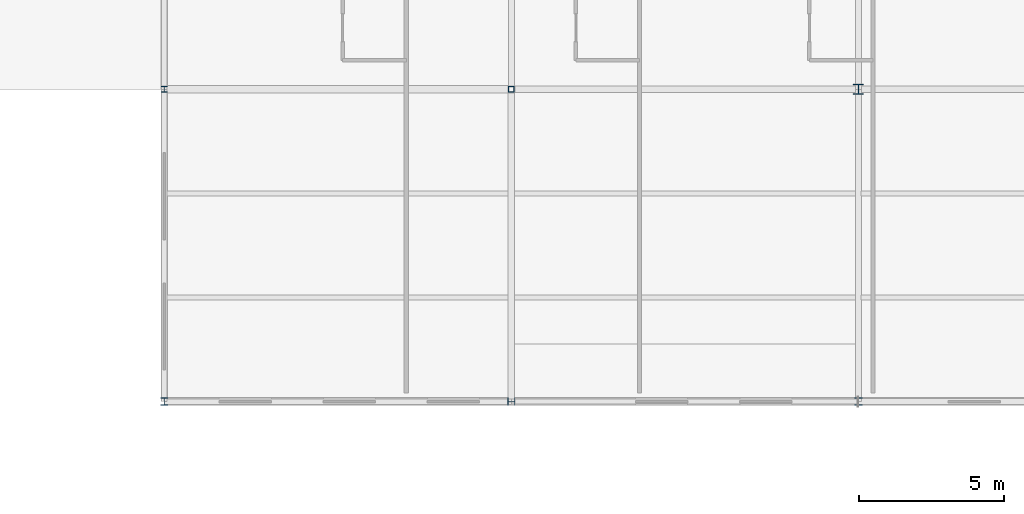
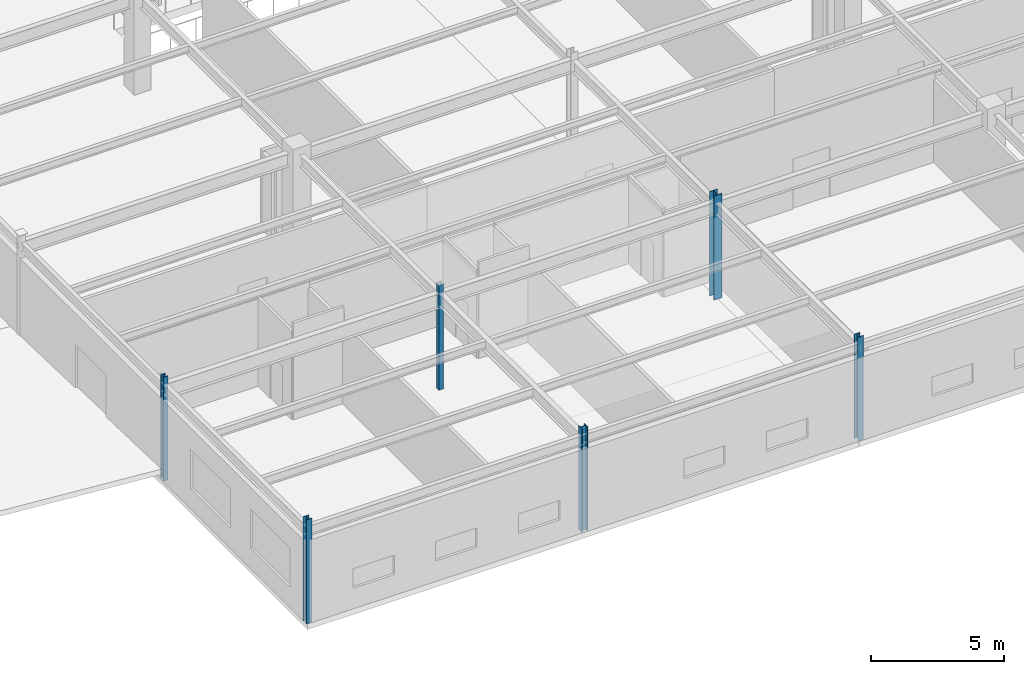
# One storey, part 2 of 199: 6 columns.
"""IFC4 building model written with IfcOpenShell, lengths in metres."""

import ifcopenshell
import ifcopenshell.guid

model = None  # the IFC model being written
_history = None  # IfcOwnerHistory: only IFC2X3 demands one
_inside = {}  # id of a spatial element -> (the spatial element, [elements in it])
_under = {}  # id of a project, library or spatial element -> (it, [spatial elements below it])
_declared = {}  # id of a project -> (the project, [libraries it declares])
_typed = {}  # id of a type object -> (the type object, [elements of that type])
_made_of = {}  # id of a material, layer set ... -> (it, [elements and type objects made of it])


def new_model(schema):
    """Start an empty IFC model of exactly this schema.

    Asked for "IFC4X3", IfcOpenShell would pick the latest addendum, in which some entities
    have other attributes; the version numbers below select the first issue.
    IFC2X3 requires an IfcOwnerHistory on every rooted entity: one is made here for all.
    """
    global model, _history
    if schema == "IFC4X3":
        model = ifcopenshell.file(schema_version=(4, 3, 0, 0))
    else:
        model = ifcopenshell.file(schema=schema)
    _inside.clear()
    _under.clear()
    _declared.clear()
    _typed.clear()
    _made_of.clear()
    _history = None
    if model.schema == "IFC2X3":
        org = make("IfcOrganization", Name="unknown")
        user = make(
            "IfcPersonAndOrganization",
            ThePerson=make("IfcPerson", FamilyName="unknown"),
            TheOrganization=org,
        )
        app = make(
            "IfcApplication",
            ApplicationDeveloper=org,
            Version="unknown",
            ApplicationFullName="unknown",
            ApplicationIdentifier="unknown",
        )
        _history = make(
            "IfcOwnerHistory",
            OwningUser=user,
            OwningApplication=app,
            ChangeAction="ADDED",
            CreationDate=0,
        )
    return model


def make(cls, **values):
    """One entity of the class cls with the attributes given. An attribute that is None is left unset."""
    return model.create_entity(
        cls, **{name: value for name, value in values.items() if value is not None}
    )


def rooted(cls, **values):
    """An entity with a GlobalId (a new one), such as an element, a storey or a relation."""
    return make(cls, GlobalId=ifcopenshell.guid.new(), OwnerHistory=_history, **values)


def si_unit(unit_type, name, prefix=None):
    """IfcSIUnit, for example si_unit("LENGTHUNIT", "METRE", prefix="MILLI")."""
    return make("IfcSIUnit", UnitType=unit_type, Prefix=prefix, Name=name)


def assignment(units):
    """IfcUnitAssignment: the units of a project."""
    return None if units is None else make("IfcUnitAssignment", Units=units)


def point(xyz):
    """IfcCartesianPoint."""
    return None if xyz is None else make("IfcCartesianPoint", Coordinates=xyz)


def direction(xyz):
    """IfcDirection."""
    return None if xyz is None else make("IfcDirection", DirectionRatios=xyz)


def frame(location, z_axis=None, x_axis=None):
    """IfcAxis2Placement3D, a coordinate frame: its origin and axes. An axis left out is left unset."""
    return make(
        "IfcAxis2Placement3D",
        Location=point(location),
        Axis=direction(z_axis),
        RefDirection=direction(x_axis),
    )


def frame_2d(location, x_axis=None):
    """IfcAxis2Placement2D, a coordinate frame in the plane: its origin and x axis."""
    return make(
        "IfcAxis2Placement2D", Location=point(location), RefDirection=direction(x_axis)
    )


def origin():
    """The frame at (0, 0, 0) with its axes left unset."""
    return frame((0.0, 0.0, 0.0))


def origin_2d():
    """The frame at (0, 0) in the plane with its x axis left unset."""
    return frame_2d((0.0, 0.0))


def place(relative_to, where):
    """IfcLocalPlacement: puts the frame where relative to a parent placement (None: the world)."""
    return make(
        "IfcLocalPlacement", PlacementRelTo=relative_to, RelativePlacement=where
    )


def context(
    kind, dimensions, precision=None, world=None, true_north=None, identifier=None
):
    """IfcGeometricRepresentationContext, for example the 3D "Model" context."""
    return make(
        "IfcGeometricRepresentationContext",
        ContextIdentifier=identifier,
        ContextType=kind,
        CoordinateSpaceDimension=dimensions,
        Precision=precision,
        WorldCoordinateSystem=world,
        TrueNorth=true_north,
    )


def subcontext(parent, identifier, kind, view, scale=None):
    """IfcGeometricRepresentationSubContext, for example "Body" below "Model"."""
    return make(
        "IfcGeometricRepresentationSubContext",
        ContextIdentifier=identifier,
        ContextType=kind,
        ParentContext=parent,
        TargetScale=scale,
        TargetView=view,
    )


def project(units=None, contexts=None):
    """IfcProject with its units and contexts."""
    return rooted(
        "IfcProject",
        Name="project",
        RepresentationContexts=contexts,
        UnitsInContext=assignment(units),
    )


def spatial(cls, under=None, at=None, **own):
    """A site, building, storey or space (cls), placed at a placement, below another one or the project."""
    s = rooted(cls, ObjectPlacement=at, **own)
    if under is not None:
        _under.setdefault(under.id(), (under, []))[1].append(s)
    return s


def profile(cls, at=None, kind="AREA", **sizes):
    """A parametric profile (cls). Its sizes go by their IFC names, for example OverallWidth=200.0."""
    return make(cls, ProfileType=kind, Position=at, **sizes)


def hollow_rectangle(**sizes):
    """IfcRectangleHollowProfileDef."""
    return profile("IfcRectangleHollowProfileDef", **sizes)


def i_section(**sizes):
    """IfcIShapeProfileDef."""
    return profile("IfcIShapeProfileDef", **sizes)


def extrude(swept, where, along, depth):
    """IfcExtrudedAreaSolid: the profile swept, set in the frame where, extruded along a direction by depth."""
    return make(
        "IfcExtrudedAreaSolid",
        SweptArea=swept,
        Position=where,
        ExtrudedDirection=direction(along),
        Depth=depth,
    )


def shape(context_of_items, identifier, shape_type, items):
    """IfcShapeRepresentation: the items that make up one representation, for example the "Body"."""
    return make(
        "IfcShapeRepresentation",
        ContextOfItems=context_of_items,
        RepresentationIdentifier=identifier,
        RepresentationType=shape_type,
        Items=items,
    )


def material(Name=None, Category=None):
    """IfcMaterial."""
    return make("IfcMaterial", Name=Name, Category=Category)


def material_profile(
    of_material, cross_section, Name=None, Category=None, Priority=None
):
    """IfcMaterialProfile: a cross section and its material."""
    return make(
        "IfcMaterialProfile",
        Name=Name,
        Material=of_material,
        Profile=cross_section,
        Priority=Priority,
        Category=Category,
    )


def profile_set(profiles, Name=None, composite=None):
    """IfcMaterialProfileSet."""
    return make(
        "IfcMaterialProfileSet",
        Name=Name,
        MaterialProfiles=profiles,
        CompositeProfile=composite,
    )


def made_of(thing, what):
    """Note that an element or type object is made of a material, layer set ...; save() writes the relation."""
    if what is not None:
        _made_of.setdefault(what.id(), (what, []))[1].append(thing)
    return thing


def type_object(cls, material=None, **own):
    """A type object (cls), such as IfcWallType, which elements share."""
    return made_of(rooted(cls, **own), material)


def element(
    cls,
    number,
    at=None,
    inside=None,
    cuts=None,
    type_object=None,
    material=None,
    context=None,
    identifier="Body",
    shape_type=None,
    held_by="IfcProductDefinitionShape",
    body=None,
    shapes=None,
    **own,
):
    """One element of the class cls, such as IfcWall. Its Tag is "e" and its number.

    at: its placement. inside: the storey or other place that contains it. cuts: it is an
    opening in that element (IfcRelVoidsElement). A single representation is given by context,
    identifier, shape_type and body (its items); several are given by shapes. held_by: the class
    of the entity that holds the representations. save() writes the other relations.
    """
    e = rooted(cls, Tag="e%d" % number, ObjectPlacement=at, **own)
    if body is not None:
        shapes = [shape(context, identifier, shape_type, body)]
    if shapes is not None:
        e.Representation = make(held_by, Representations=shapes)
    if inside is not None:
        _inside.setdefault(inside.id(), (inside, []))[1].append(e)
    if cuts is not None:
        rooted(
            "IfcRelVoidsElement", RelatingBuildingElement=cuts, RelatedOpeningElement=e
        )
    if type_object is not None:
        _typed.setdefault(type_object.id(), (type_object, []))[1].append(e)
    return made_of(e, material)


def aggregate(whole, parts):
    """IfcRelAggregates: a whole, such as a stair, and the parts it consists of."""
    return rooted("IfcRelAggregates", RelatingObject=whole, RelatedObjects=parts)


def save(model, path):
    """Write the relations noted so far, then the file.

    IfcRelAggregates (storeys below a building ...), IfcRelContainedInSpatialStructure (elements
    in a storey), IfcRelDefinesByType, IfcRelAssociatesMaterial and IfcRelDeclares: one each for
    every whole, place, type object, material and project.
    """
    for whole, parts in _under.values():
        aggregate(whole, parts)
    for where, things in _inside.values():
        rooted(
            "IfcRelContainedInSpatialStructure",
            RelatedElements=things,
            RelatingStructure=where,
        )
    for kind, things in _typed.values():
        rooted("IfcRelDefinesByType", RelatedObjects=things, RelatingType=kind)
    for what, things in _made_of.values():
        rooted("IfcRelAssociatesMaterial", RelatedObjects=things, RelatingMaterial=what)
    for by, libraries in _declared.values():
        rooted("IfcRelDeclares", RelatingContext=by, RelatedDefinitions=libraries)
    model.write(path)


model = new_model("IFC4")

# Units and contexts
model_context = context("Model", 3, precision=1e-05, world=origin(), true_north=direction((0.0, 1.0)))
body_context = subcontext(model_context, "Body", "Model", "MODEL_VIEW")
ifc_project = project(units=[si_unit("LENGTHUNIT", "METRE"), si_unit("AREAUNIT", "SQUARE_METRE"), si_unit("VOLUMEUNIT", "CUBIC_METRE"), si_unit("PLANEANGLEUNIT", "RADIAN"), si_unit("MASSUNIT", "GRAM", prefix="KILO")], contexts=[model_context])

# Site, building, storey
site_placement = place(None, origin())
site = spatial("IfcSite", under=ifc_project, at=site_placement, CompositionType="ELEMENT")
building_placement = place(site_placement, origin())
building = spatial("IfcBuilding", under=site, at=building_placement, Name="Tarnwether General Hospital", CompositionType="ELEMENT")
storey_placement = place(building_placement, origin())
storey = spatial("IfcBuildingStorey", under=building, at=storey_placement, Name="L00", CompositionType="ELEMENT", Elevation=0.0)

# Columns
ifc_material_1 = material(Name="Steel Grade 350 (350 MPa)", Category="steel")
ifc_material_profile_1 = material_profile(ifc_material_1, i_section(OverallWidth=0.35009765625, OverallDepth=0.35009765625, WebThickness=0.013916015625, FlangeThickness=0.02392578125, at=origin_2d()), Name="350WC197")
ifc_profile_set_1 = profile_set([ifc_material_profile_1], Name="Steel Grade 350 (350 MPa)")
column_type_1 = type_object("IfcColumnType", Name="COL-04", PredefinedType="COLUMN", material=ifc_profile_set_1)
column_1_placement = place(storey_placement, frame((24.0, 10.800048828125, 0.0), z_axis=(0.0, 0.0, 1.0), x_axis=(1.0, 0.0, 0.0)))
element("IfcColumn", 1, at=column_1_placement, inside=storey, type_object=column_type_1, Name="Column COLG-L00-2400_1080", PredefinedType="COLUMN", context=body_context, shape_type="SweptSolid", body=[
    extrude(i_section(OverallWidth=0.35009765625, OverallDepth=0.35009765625, WebThickness=0.013916015625, FlangeThickness=0.02392578125, at=origin_2d()), origin(), (0.0, 0.0, 1.0), 4.800048828125),
])
ifc_material_2 = material(Name="Steel Grade C350L0 (350 MPa)", Category="steel")
ifc_material_profile_2 = material_profile(ifc_material_2, hollow_rectangle(XDim=0.199951171875, YDim=0.199951171875, WallThickness=0.010009765625, at=origin_2d()), Name="SHS200x200x10")
ifc_profile_set_2 = profile_set([ifc_material_profile_2], Name="Steel Grade C350L0 (350 MPa)")
column_type_2 = type_object("IfcColumnType", Name="COL-15", PredefinedType="COLUMN", material=ifc_profile_set_2)
column_2_placement = place(storey_placement, frame((12.0, 10.800048828125, 0.0), z_axis=(0.0, 0.0, 1.0), x_axis=(0.0, 1.0, 0.0)))
element("IfcColumn", 2, at=column_2_placement, inside=storey, type_object=column_type_2, Name="Column COLG-L00-1200_1080", PredefinedType="COLUMN", context=body_context, shape_type="SweptSolid", body=[
    extrude(hollow_rectangle(XDim=0.199951171875, YDim=0.199951171875, WallThickness=0.010009765625, at=origin_2d()), origin(), (0.0, 0.0, 1.0), 4.800048828125),
])
ifc_material_3 = material(Name="Steel Grade 350 (350 MPa)", Category="steel")
ifc_material_profile_3 = material_profile(ifc_material_3, i_section(OverallWidth=0.25390625, OverallDepth=0.25390625, WebThickness=0.008544921875, FlangeThickness=0.01416015625, at=origin_2d()), Name="250UC72.9")
ifc_profile_set_3 = profile_set([ifc_material_profile_3], Name="Steel Grade 350 (350 MPa)")
column_type_3 = type_object("IfcColumnType", Name="COL-24", PredefinedType="COLUMN", material=ifc_profile_set_3)
for number, where, z_axis, x_axis, name in (
    (3, (0.0, 0.0, 0.0), (0.0, 0.0, 1.0), (1.0, 0.0, 0.0), "Column COLG-L00-0_0"),
    (4, (12.0, 0.0, 0.0), (0.0, 0.0, 1.0), (0.0, 1.0, 0.0), "Column COLG-L00-1200_0"),
    (5, (24.0, 0.0, 0.0), (0.0, 0.0, 1.0), (1.0, 0.0, 0.0), "Column COLG-L00-2400_0"),
):
    element("IfcColumn", number, at=place(storey_placement, frame(where, z_axis=z_axis, x_axis=x_axis)), inside=storey, type_object=column_type_3, Name=name, PredefinedType="COLUMN", context=body_context, shape_type="SweptSolid", body=[
        extrude(i_section(OverallWidth=0.25390625, OverallDepth=0.25390625, WebThickness=0.008544921875, FlangeThickness=0.01416015625, at=origin_2d()), origin(), (0.0, 0.0, 1.0), 4.800048828125),
    ])
ifc_material_4 = material(Name="Steel Grade 350 (350 MPa)", Category="steel")
ifc_material_profile_4 = material_profile(ifc_material_4, i_section(OverallWidth=0.205078125, OverallDepth=0.2099609375, WebThickness=0.00927734375, FlangeThickness=0.01416015625, at=origin_2d()), Name="200UC59.5")
ifc_profile_set_4 = profile_set([ifc_material_profile_4], Name="Steel Grade 350 (350 MPa)")
column_type_4 = type_object("IfcColumnType", Name="COL-25", PredefinedType="COLUMN", material=ifc_profile_set_4)
column_3_placement = place(storey_placement, frame((0.0, 10.800048828125, 0.0), z_axis=(0.0, 0.0, 1.0), x_axis=(1.0, 0.0, 0.0)))
element("IfcColumn", 6, at=column_3_placement, inside=storey, type_object=column_type_4, Name="Column COLG-L00-0_1080", PredefinedType="COLUMN", context=body_context, shape_type="SweptSolid", body=[
    extrude(i_section(OverallWidth=0.205078125, OverallDepth=0.2099609375, WebThickness=0.00927734375, FlangeThickness=0.01416015625, at=origin_2d()), origin(), (0.0, 0.0, 1.0), 4.800048828125),
])

save(model, "model.ifc")
